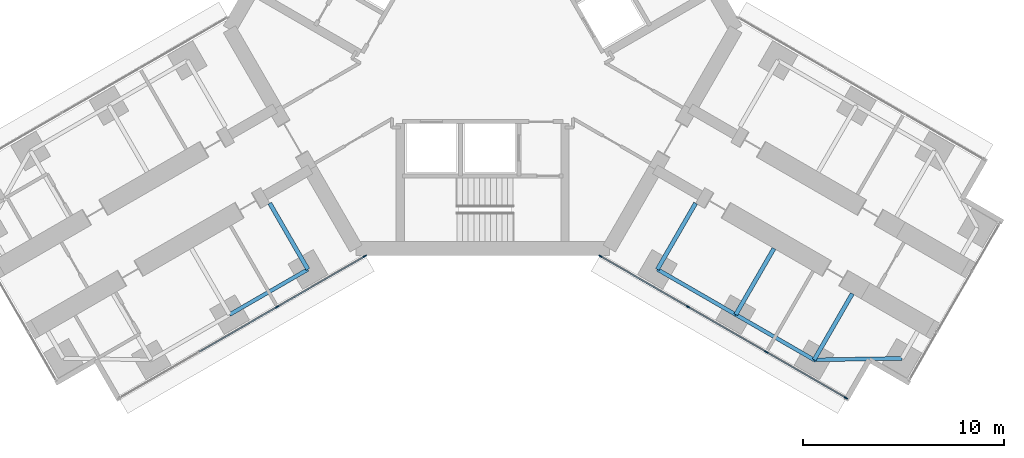
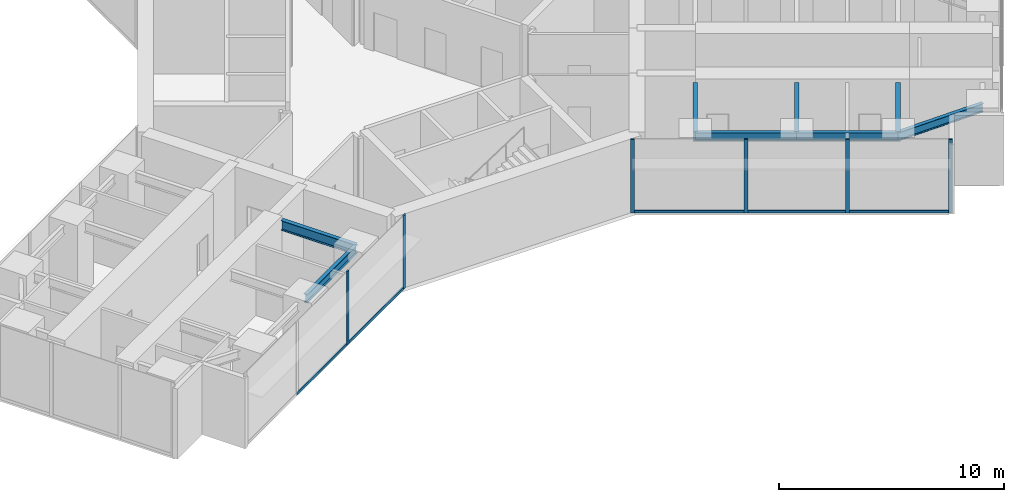
# One storey, part 9 of 24: 11 members, 8 beams, 2 elements without a shape of their own.
"""IFC4 building model written with IfcOpenShell, lengths in metres."""

from ifc_helpers import new_model, si_unit, direction, frame, origin, origin_2d, place, context, subcontext, project, spatial, rectangle, i_section, extrude, material, material_profile, profile_set, type_object, element, aggregate, save


model = new_model("IFC4")

# Units and contexts
model_context = context("Model", 3, precision=1e-05, world=origin(), true_north=direction((0.0, 1.0)))
body_context = subcontext(model_context, "Body", "Model", "MODEL_VIEW")
ifc_project = project(units=[si_unit("LENGTHUNIT", "METRE"), si_unit("AREAUNIT", "SQUARE_METRE"), si_unit("VOLUMEUNIT", "CUBIC_METRE"), si_unit("PLANEANGLEUNIT", "RADIAN"), si_unit("MASSUNIT", "GRAM", prefix="KILO")], contexts=[model_context])

# Site, building, storey
site_placement = place(None, origin())
site = spatial("IfcSite", under=ifc_project, at=site_placement, CompositionType="ELEMENT")
building_placement = place(site_placement, origin())
building = spatial("IfcBuilding", under=site, at=building_placement, Name="Upepo Twin Towers", CompositionType="ELEMENT")
storey_placement = place(building_placement, frame((0.0, 0.0, 56.5)))
storey = spatial("IfcBuildingStorey", under=building, at=storey_placement, Name="L13", CompositionType="ELEMENT", Elevation=56.5)

# Beams
ifc_material_1 = material(Name="Steel S355", Category="steel")
ifc_material_profile_1 = material_profile(ifc_material_1, i_section(OverallWidth=0.1904296875, OverallDepth=0.45703125, WebThickness=0.009033203125, FlangeThickness=0.014404296875, FilletRadius=0.01025390625, at=origin_2d()), Name="UB 457x191x74")
ifc_profile_set_1 = profile_set([ifc_material_profile_1], Name="Steel S355")
beam_type_1 = type_object("IfcBeamType", Name="Beam UB 457x191x74", PredefinedType="BEAM", material=ifc_profile_set_1)
for number, where, z_axis, x_axis, name in (
    (1, (49.80859375, -29.946044921875, 3.571533203125), (-0.866017533419, -0.500013631625, 0.0), (0.500013631625, -0.866017533419, 0.0), "T2 edge beam BL 13.5-18.0"),
    (2, (67.19140625, -29.946044921875, 3.571533203125), (0.866017533419, -0.500013631625, 0.0), (0.500013631625, 0.866017533419, 0.0), "T2 edge beam CR 13.5-18.0"),
):
    element("IfcBeam", number, at=place(storey_placement, frame(where, z_axis=z_axis, x_axis=x_axis)), inside=storey, type_object=beam_type_1, Name=name, PredefinedType="BEAM", context=body_context, shape_type="SweptSolid", body=[
        extrude(i_section(OverallWidth=0.1904296875, OverallDepth=0.45703125, WebThickness=0.009033203125, FlangeThickness=0.014404296875, FilletRadius=0.01025390625, at=origin_2d()), origin(), (0.0, 0.0, 1.0), 4.499755859375),
    ])
beam_1_placement = place(storey_placement, frame((71.08837890625, -32.196044921875, 3.571533203125), z_axis=(0.866031096941, -0.499990139034, 0.0), x_axis=(0.499990139034, 0.866031096941, 0.0)))
element("IfcBeam", 3, at=beam_1_placement, inside=storey, type_object=beam_type_1, Name="T2 edge beam CR 18.0-22.5", PredefinedType="BEAM", context=body_context, shape_type="SweptSolid", body=[
    extrude(i_section(OverallWidth=0.1904296875, OverallDepth=0.45703125, WebThickness=0.009033203125, FlangeThickness=0.014404296875, FilletRadius=0.01025390625, at=origin_2d()), origin(), (0.0, 0.0, 1.0), 4.5),
])
beam_2_placement = place(storey_placement, frame((74.985595703125, -34.446044921875, 3.571533203125), z_axis=(0.999858804832, 0.016803880528, 0.0), x_axis=(-0.016803880528, 0.999858804832, 0.0)))
element("IfcBeam", 4, at=beam_2_placement, inside=storey, type_object=beam_type_1, Name="T2 nose edge beam CR", PredefinedType="BEAM", context=body_context, shape_type="SweptSolid", body=[
    extrude(i_section(OverallWidth=0.1904296875, OverallDepth=0.45703125, WebThickness=0.009033203125, FlangeThickness=0.014404296875, FilletRadius=0.01025390625, at=origin_2d()), origin(), (0.0, 0.0, 1.0), 4.373291015625),
])
ifc_material_2 = material(Name="Steel S355", Category="steel")
ifc_material_profile_2 = material_profile(ifc_material_2, i_section(OverallWidth=0.209228515625, OverallDepth=0.533203125, WebThickness=0.010009765625, FlangeThickness=0.015625, FilletRadius=0.0126953125, at=origin_2d()), Name="UB 533x210x92")
ifc_profile_set_2 = profile_set([ifc_material_profile_2], Name="Steel S355")
beam_type_2 = type_object("IfcBeamType", Name="Beam UB 533x210x92", PredefinedType="BEAM", material=ifc_profile_set_2)
for number, where, z_axis, x_axis, name in (
    (5, (49.80859375, -29.946044921875, 3.533447265625), (-0.499994975061, 0.866028304915, 0.0), (-0.866028304915, -0.499994975061, 0.0), "T2 girder BL at 13.5"),
    (6, (67.19140625, -29.946044921875, 3.533447265625), (0.499994975061, 0.866028304915, 0.0), (-0.866028304915, 0.499994975061, 0.0), "T2 girder CR at 13.5"),
):
    element("IfcBeam", number, at=place(storey_placement, frame(where, z_axis=z_axis, x_axis=x_axis)), inside=storey, type_object=beam_type_2, Name=name, PredefinedType="BEAM", context=body_context, shape_type="SweptSolid", body=[
        extrude(i_section(OverallWidth=0.209228515625, OverallDepth=0.533203125, WebThickness=0.010009765625, FlangeThickness=0.015625, FilletRadius=0.0126953125, at=origin_2d()), origin(), (0.0, 0.0, 1.0), 3.7998046875),
    ])
beam_3_placement = place(storey_placement, frame((71.08837890625, -32.196044921875, 3.533447265625), z_axis=(0.500043160704, 0.866000483506, 0.0), x_axis=(-0.866000483506, 0.500043160704, 0.0)))
element("IfcBeam", 7, at=beam_3_placement, inside=storey, type_object=beam_type_2, Name="T2 girder CR at 18.0", PredefinedType="BEAM", context=body_context, shape_type="SweptSolid", body=[
    extrude(i_section(OverallWidth=0.209228515625, OverallDepth=0.533203125, WebThickness=0.010009765625, FlangeThickness=0.015625, FilletRadius=0.0126953125, at=origin_2d()), origin(), (0.0, 0.0, 1.0), 3.800048828125),
])
beam_4_placement = place(storey_placement, frame((74.985595703125, -34.446044921875, 3.533447265625), z_axis=(0.499994975061, 0.866028304915, 0.0), x_axis=(-0.866028304915, 0.499994975061, 0.0)))
element("IfcBeam", 8, at=beam_4_placement, inside=storey, type_object=beam_type_2, Name="T2 girder CR at 22.5", PredefinedType="BEAM", context=body_context, shape_type="SweptSolid", body=[
    extrude(i_section(OverallWidth=0.209228515625, OverallDepth=0.533203125, WebThickness=0.010009765625, FlangeThickness=0.015625, FilletRadius=0.0126953125, at=origin_2d()), origin(), (0.0, 0.0, 1.0), 3.7998046875),
])

# Curtain wall, members
ifc_material_3 = material(Name="Aluminium and fritted glass", Category="aluminium")
curtain_wall_type = type_object("IfcCurtainWallType", Name="Tower curtain wall TW1, fritted glass", PredefinedType="NOTDEFINED", material=ifc_material_3)
curtain_wall_1_placement = place(storey_placement, origin())
curtain_wall_1 = element("IfcCurtainWall", 9, at=curtain_wall_1_placement, inside=storey, type_object=curtain_wall_type, Name="T2 L13 wing B flank L curtain wall", PredefinedType="NOTDEFINED")
ifc_material_4 = material(Name="Aluminium mullion", Category="aluminium")
ifc_material_profile_3 = material_profile(ifc_material_4, rectangle(XDim=0.06494140625, YDim=0.179931640625, at=origin_2d()), Name="MULLION 65x180")
ifc_profile_set_3 = profile_set([ifc_material_profile_3], Name="Aluminium mullion")
member_type_1 = type_object("IfcMemberType", Name="Mullion 65x180 TW1", PredefinedType="MULLION", material=ifc_profile_set_3)
member_1_placement = place(storey_placement, frame((52.6416015625, -29.2919921875, 0.0), z_axis=(0.0, 0.0, 1.0), x_axis=(0.500000024426, -0.866025389682, 0.0)))
member_1 = element("IfcMember", 10, at=member_1_placement, type_object=member_type_1, Name="T2 L13 wing B flank L curtain wall mullion 1", PredefinedType="MULLION", context=body_context, shape_type="SweptSolid", body=[
    extrude(rectangle(XDim=0.06494140625, YDim=0.179931640625, at=origin_2d()), origin(), (0.0, 0.0, 1.0), 4.0),
])
member_2_placement = place(storey_placement, frame((48.28515625, -31.807373046875, 0.0), z_axis=(0.0, 0.0, 1.0), x_axis=(0.500000024426, -0.866025389682, 0.0)))
member_2 = element("IfcMember", 11, at=member_2_placement, type_object=member_type_1, Name="T2 L13 wing B flank L curtain wall mullion 2", PredefinedType="MULLION", context=body_context, shape_type="SweptSolid", body=[
    extrude(rectangle(XDim=0.06494140625, YDim=0.179931640625, at=origin_2d()), origin(), (0.0, 0.0, 1.0), 4.0),
])

curtain_wall_2_placement = place(storey_placement, origin())
curtain_wall_2 = element("IfcCurtainWall", 12, at=curtain_wall_2_placement, inside=storey, type_object=curtain_wall_type, Name="T2 L13 wing C flank R curtain wall", PredefinedType="NOTDEFINED")
member_3_placement = place(storey_placement, frame((76.567626953125, -36.341064453125, 0.0), z_axis=(0.0, 0.0, 1.0), x_axis=(-0.500000024426, -0.866025389682, 0.0)))
member_3 = element("IfcMember", 13, at=member_3_placement, type_object=member_type_1, Name="T2 L13 wing C flank R curtain wall mullion 1", PredefinedType="MULLION", context=body_context, shape_type="SweptSolid", body=[
    extrude(rectangle(XDim=0.06494140625, YDim=0.179931640625, at=origin_2d()), origin(), (0.0, 0.0, 1.0), 4.0),
])
member_4_placement = place(storey_placement, frame((72.612060546875, -34.057373046875, 0.0), z_axis=(0.0, 0.0, 1.0), x_axis=(-0.500000024426, -0.866025389682, 0.0)))
member_4 = element("IfcMember", 14, at=member_4_placement, type_object=member_type_1, Name="T2 L13 wing C flank R curtain wall mullion 2", PredefinedType="MULLION", context=body_context, shape_type="SweptSolid", body=[
    extrude(rectangle(XDim=0.06494140625, YDim=0.179931640625, at=origin_2d()), origin(), (0.0, 0.0, 1.0), 4.0),
])
member_5_placement = place(storey_placement, frame((68.71484375, -31.807373046875, 0.0), z_axis=(0.0, 0.0, 1.0), x_axis=(-0.500000024426, -0.866025389682, 0.0)))
member_5 = element("IfcMember", 15, at=member_5_placement, type_object=member_type_1, Name="T2 L13 wing C flank R curtain wall mullion 3", PredefinedType="MULLION", context=body_context, shape_type="SweptSolid", body=[
    extrude(rectangle(XDim=0.06494140625, YDim=0.179931640625, at=origin_2d()), origin(), (0.0, 0.0, 1.0), 4.0),
])
member_6_placement = place(storey_placement, frame((64.3583984375, -29.2919921875, 0.0), z_axis=(0.0, 0.0, 1.0), x_axis=(-0.500000024426, -0.866025389682, 0.0)))
member_6 = element("IfcMember", 16, at=member_6_placement, type_object=member_type_1, Name="T2 L13 wing C flank R curtain wall mullion 4", PredefinedType="MULLION", context=body_context, shape_type="SweptSolid", body=[
    extrude(rectangle(XDim=0.06494140625, YDim=0.179931640625, at=origin_2d()), origin(), (0.0, 0.0, 1.0), 4.0),
])

# Member
ifc_material_5 = material(Name="Aluminium transom", Category="aluminium")
ifc_material_profile_4 = material_profile(ifc_material_5, rectangle(XDim=0.06494140625, YDim=0.14990234375, at=origin_2d()), Name="TRANSOM 65x150")
ifc_profile_set_4 = profile_set([ifc_material_profile_4], Name="Aluminium transom")
member_type_2 = type_object("IfcMemberType", Name="Transom 65x150 TW1", PredefinedType="USERDEFINED", material=ifc_profile_set_4)
member_7_placement = place(storey_placement, frame((52.61328125, -29.308349609375, 0.074951171875), z_axis=(-0.866022642139, -0.50000478328, 0.0), x_axis=(0.50000478328, -0.866022642139, 0.0)))
member_7 = element("IfcMember", 17, at=member_7_placement, type_object=member_type_2, Name="T2 L13 wing B flank L curtain wall transom 1", ObjectType="TRANSOM", PredefinedType="USERDEFINED", context=body_context, shape_type="SweptSolid", body=[
    extrude(rectangle(XDim=0.06494140625, YDim=0.14990234375, at=origin_2d()), origin(), (0.0, 0.0, 1.0), 4.96533203125),
])

member_8_placement = place(storey_placement, frame((48.2568359375, -31.823486328125, 0.074951171875), z_axis=(-0.866022410713, -0.500005184116, 0.0), x_axis=(0.500005184116, -0.866022410713, 0.0)))
member_8 = element("IfcMember", 18, at=member_8_placement, type_object=member_type_2, Name="T2 L13 wing B flank L curtain wall transom 2", ObjectType="TRANSOM", PredefinedType="USERDEFINED", context=body_context, shape_type="SweptSolid", body=[
    extrude(rectangle(XDim=0.06494140625, YDim=0.14990234375, at=origin_2d()), origin(), (0.0, 0.0, 1.0), 4.43505859375),
])

aggregate(curtain_wall_1, [member_1, member_2, member_7, member_8])

member_9_placement = place(storey_placement, frame((76.53955078125, -36.32470703125, 0.074951171875), z_axis=(-0.866035699072, 0.499982167615, 0.0), x_axis=(-0.499982167615, -0.866035699072, 0.0)))
member_9 = element("IfcMember", 19, at=member_9_placement, type_object=member_type_2, Name="T2 L13 wing C flank R curtain wall transom 1", ObjectType="TRANSOM", PredefinedType="USERDEFINED", context=body_context, shape_type="SweptSolid", body=[
    extrude(rectangle(XDim=0.06494140625, YDim=0.14990234375, at=origin_2d()), origin(), (0.0, 0.0, 1.0), 4.502685546875),
])

member_10_placement = place(storey_placement, frame((72.583984375, -34.041015625, 0.074951171875), z_axis=(-0.866022410713, 0.500005184116, 0.0), x_axis=(-0.500005184116, -0.866022410713, 0.0)))
member_10 = element("IfcMember", 20, at=member_10_placement, type_object=member_type_2, Name="T2 L13 wing C flank R curtain wall transom 2", ObjectType="TRANSOM", PredefinedType="USERDEFINED", context=body_context, shape_type="SweptSolid", body=[
    extrude(rectangle(XDim=0.06494140625, YDim=0.14990234375, at=origin_2d()), origin(), (0.0, 0.0, 1.0), 4.43505859375),
])

member_11_placement = place(storey_placement, frame((68.686767578125, -31.791015625, 0.074951171875), z_axis=(-0.866022642139, 0.50000478328, 0.0), x_axis=(-0.50000478328, -0.866022642139, 0.0)))
member_11 = element("IfcMember", 21, at=member_11_placement, type_object=member_type_2, Name="T2 L13 wing C flank R curtain wall transom 3", ObjectType="TRANSOM", PredefinedType="USERDEFINED", context=body_context, shape_type="SweptSolid", body=[
    extrude(rectangle(XDim=0.06494140625, YDim=0.14990234375, at=origin_2d()), origin(), (0.0, 0.0, 1.0), 4.96533203125),
])

aggregate(curtain_wall_2, [member_3, member_4, member_5, member_6, member_9, member_10, member_11])

save(model, "model.ifc")
